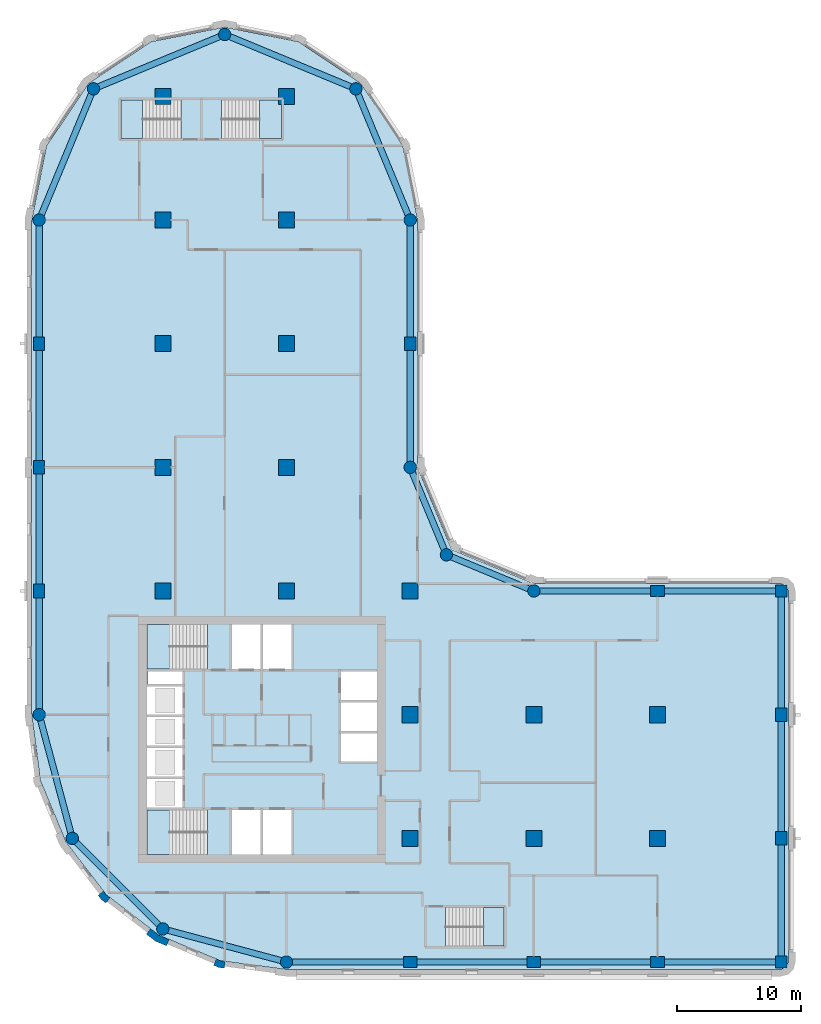
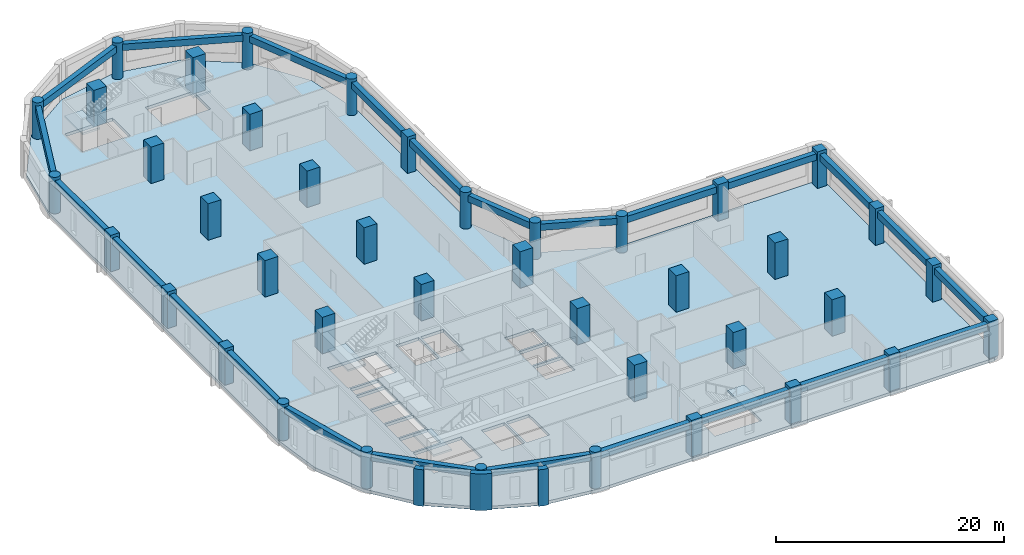
# One storey, part 1 of 9: 41 columns, 24 beams, 6 slabs, 3 walls, 5 elements without a shape of their own.
"""IFC4 building model written with IfcOpenShell, lengths in metres."""

from ifc_helpers import new_model, si_unit, direction, frame, origin, origin_2d, place, context, subcontext, project, spatial, polyline, rectangle, circle, outline, extrude, material, layer, layer_set, material_profile, profile_set, type_object, element, aggregate, save


model = new_model("IFC4")

# Units and contexts
model_context = context("Model", 3, precision=1e-05, world=origin(), true_north=direction((0.0, 1.0)))
body_context = subcontext(model_context, "Body", "Model", "MODEL_VIEW")
ifc_project = project(units=[si_unit("LENGTHUNIT", "METRE"), si_unit("AREAUNIT", "SQUARE_METRE"), si_unit("VOLUMEUNIT", "CUBIC_METRE"), si_unit("PLANEANGLEUNIT", "RADIAN"), si_unit("MASSUNIT", "GRAM", prefix="KILO")], contexts=[model_context])

# Site, building, storey
site_placement = place(None, origin())
site = spatial("IfcSite", under=ifc_project, at=site_placement, CompositionType="ELEMENT")
building_placement = place(site_placement, origin())
building = spatial("IfcBuilding", under=site, at=building_placement, Name="Qaws Garden Tower", CompositionType="ELEMENT")
storey_placement = place(building_placement, frame((0.0, 0.0, 131.699951171875)))
storey = spatial("IfcBuildingStorey", under=building, at=storey_placement, Name="L31", CompositionType="ELEMENT", Elevation=131.699951171875)

# Columns
ifc_material_1 = material(Name="Concrete C70", Category="concrete")
ifc_material_profile_1 = material_profile(ifc_material_1, rectangle(XDim=1.10009765625, YDim=0.89990234375, at=origin_2d()), Name="RC 1100x900")
ifc_profile_set_1 = profile_set([ifc_material_profile_1], Name="Concrete C70")
column_type_1 = type_object("IfcColumnType", Name="Column RC 1100x900 C70", PredefinedType="COLUMN", material=ifc_profile_set_1)
for number, where, z_axis, x_axis, name in (
    (1, (30.0, 0.0, 0.0), (0.0, 0.0, 1.0), (1.0, 0.0, 0.0), "Column L31-002"),
    (2, (40.0, 0.0, 0.0), (0.0, 0.0, 1.0), (1.0, 0.0, 0.0), "Column L31-003"),
    (3, (50.0, 0.0, 0.0), (0.0, 0.0, 1.0), (1.0, 0.0, 0.0), "Column L31-004"),
    (4, (60.0, 10.0, 0.0), (0.0, 0.0, 1.0), (0.0, 1.0, 0.0), "Column L31-006"),
    (5, (60.0, 20.0, 0.0), (0.0, 0.0, 1.0), (0.0, 1.0, 0.0), "Column L31-007"),
    (6, (50.0, 30.0, 0.0), (0.0, 0.0, 1.0), (1.0, 0.0, 0.0), "Column L31-009"),
    (7, (30.0, 50.0, 0.0), (0.0, 0.0, 1.0), (0.0, 1.0, 0.0), "Column L31-013"),
    (8, (0.0, 50.0, 0.0), (0.0, 0.0, 1.0), (0.0, 1.0, 0.0), "Column L31-019"),
    (9, (0.0, 40.0, 0.0), (0.0, 0.0, 1.0), (0.0, 1.0, 0.0), "Column L31-020"),
    (10, (0.0, 30.0, 0.0), (0.0, 0.0, 1.0), (0.0, 1.0, 0.0), "Column L31-021"),
):
    element("IfcColumn", number, at=place(storey_placement, frame(where, z_axis=z_axis, x_axis=x_axis)), inside=storey, type_object=column_type_1, Name=name, PredefinedType="COLUMN", context=body_context, shape_type="SweptSolid", body=[
        extrude(rectangle(XDim=1.10009765625, YDim=0.89990234375, at=origin_2d()), origin(), (0.0, 0.0, 1.0), 3.900146484375),
    ])
ifc_material_2 = material(Name="Concrete C70", Category="concrete")
ifc_material_profile_2 = material_profile(ifc_material_2, rectangle(XDim=1.300048828125, YDim=1.300048828125, at=origin_2d()), Name="RC 1300x1300")
ifc_profile_set_2 = profile_set([ifc_material_profile_2], Name="Concrete C70")
column_type_2 = type_object("IfcColumnType", Name="Column RC 1300x1300 C70", PredefinedType="COLUMN", material=ifc_profile_set_2)
for number, where, z_axis, x_axis, name in (
    (11, (10.0, 30.0, 0.0), (0.0, 0.0, 1.0), (1.0, 0.0, 0.0), "Column L31-025"),
    (12, (10.0, 40.0, 0.0), (0.0, 0.0, 1.0), (1.0, 0.0, 0.0), "Column L31-026"),
    (13, (10.0, 50.0, 0.0), (0.0, 0.0, 1.0), (1.0, 0.0, 0.0), "Column L31-027"),
    (14, (10.0, 60.0, 0.0), (0.0, 0.0, 1.0), (1.0, 0.0, 0.0), "Column L31-028"),
    (15, (10.0, 70.0, 0.0), (0.0, 0.0, 1.0), (1.0, 0.0, 0.0), "Column L31-029"),
    (16, (20.0, 30.0, 0.0), (0.0, 0.0, 1.0), (1.0, 0.0, 0.0), "Column L31-030"),
    (17, (20.0, 40.0, 0.0), (0.0, 0.0, 1.0), (1.0, 0.0, 0.0), "Column L31-031"),
    (18, (20.0, 50.0, 0.0), (0.0, 0.0, 1.0), (1.0, 0.0, 0.0), "Column L31-032"),
    (19, (20.0, 60.0, 0.0), (0.0, 0.0, 1.0), (1.0, 0.0, 0.0), "Column L31-033"),
    (20, (20.0, 70.0, 0.0), (0.0, 0.0, 1.0), (1.0, 0.0, 0.0), "Column L31-034"),
    (21, (30.0, 10.0, 0.0), (0.0, 0.0, 1.0), (1.0, 0.0, 0.0), "Column L31-035"),
    (22, (30.0, 20.0, 0.0), (0.0, 0.0, 1.0), (1.0, 0.0, 0.0), "Column L31-036"),
    (23, (30.0, 30.0, 0.0), (0.0, 0.0, 1.0), (1.0, 0.0, 0.0), "Column L31-037"),
    (24, (40.0, 10.0, 0.0), (0.0, 0.0, 1.0), (1.0, 0.0, 0.0), "Column L31-038"),
    (25, (40.0, 20.0, 0.0), (0.0, 0.0, 1.0), (1.0, 0.0, 0.0), "Column L31-039"),
    (26, (50.0, 10.0, 0.0), (0.0, 0.0, 1.0), (1.0, 0.0, 0.0), "Column L31-040"),
    (27, (50.0, 20.0, 0.0), (0.0, 0.0, 1.0), (1.0, 0.0, 0.0), "Column L31-041"),
):
    element("IfcColumn", number, at=place(storey_placement, frame(where, z_axis=z_axis, x_axis=x_axis)), inside=storey, type_object=column_type_2, Name=name, PredefinedType="COLUMN", context=body_context, shape_type="SweptSolid", body=[
        extrude(rectangle(XDim=1.300048828125, YDim=1.300048828125, at=origin_2d()), origin(), (0.0, 0.0, 1.0), 3.900146484375),
    ])
ifc_material_3 = material(Name="Concrete C70", Category="concrete")
ifc_material_profile_3 = material_profile(ifc_material_3, rectangle(XDim=0.949951171875, YDim=0.949951171875, at=origin_2d()), Name="RC 950x950")
ifc_profile_set_3 = profile_set([ifc_material_profile_3], Name="Concrete C70")
column_type_3 = type_object("IfcColumnType", Name="Column RC 950x950 C70", PredefinedType="COLUMN", material=ifc_profile_set_3)
for number, where, z_axis, x_axis, name in (
    (28, (60.0, 0.0, 0.0), (0.0, 0.0, 1.0), (1.0, 0.0, 0.0), "Column L31-005"),
    (29, (60.0, 30.0, 0.0), (0.0, 0.0, 1.0), (1.0, 0.0, 0.0), "Column L31-008"),
):
    element("IfcColumn", number, at=place(storey_placement, frame(where, z_axis=z_axis, x_axis=x_axis)), inside=storey, type_object=column_type_3, Name=name, PredefinedType="COLUMN", context=body_context, shape_type="SweptSolid", body=[
        extrude(rectangle(XDim=0.949951171875, YDim=0.949951171875, at=origin_2d()), origin(), (0.0, 0.0, 1.0), 3.900146484375),
    ])
ifc_material_4 = material(Name="Concrete C70", Category="concrete")
ifc_material_profile_4 = material_profile(ifc_material_4, circle(Radius=0.5, at=origin_2d()), Name="RC D1000")
ifc_profile_set_4 = profile_set([ifc_material_profile_4], Name="Concrete C70")
column_type_4 = type_object("IfcColumnType", Name="Column RC D1000 C70", PredefinedType="COLUMN", material=ifc_profile_set_4)
for number, where, z_axis, x_axis, name in (
    (30, (20.0, 0.0, 0.0), (0.0, 0.0, 1.0), (1.0, 0.0, 0.0), "Column L31-001"),
    (31, (40.0, 30.0, 0.0), (0.0, 0.0, 1.0), (1.0, 0.0, 0.0), "Column L31-010"),
    (32, (32.928955078125, 32.928955078125, 0.0), (0.0, 0.0, 1.0), (1.0, 0.0, 0.0), "Column L31-011"),
    (33, (30.0, 40.0, 0.0), (0.0, 0.0, 1.0), (1.0, 0.0, 0.0), "Column L31-012"),
    (34, (30.0, 60.0, 0.0), (0.0, 0.0, 1.0), (1.0, 0.0, 0.0), "Column L31-014"),
    (35, (25.606689453125, 70.606689453125, 0.0), (0.0, 0.0, 1.0), (1.0, 0.0, 0.0), "Column L31-015"),
    (36, (15.0, 75.0, 0.0), (0.0, 0.0, 1.0), (1.0, 0.0, 0.0), "Column L31-016"),
    (37, (4.393310546875, 70.606689453125, 0.0), (0.0, 0.0, 1.0), (1.0, 0.0, 0.0), "Column L31-017"),
    (38, (0.0, 60.0, 0.0), (0.0, 0.0, 1.0), (1.0, 0.0, 0.0), "Column L31-018"),
    (39, (0.0, 20.0, 0.0), (0.0, 0.0, 1.0), (1.0, 0.0, 0.0), "Column L31-022"),
    (40, (2.679443359375, 10.0, 0.0), (0.0, 0.0, 1.0), (1.0, 0.0, 0.0), "Column L31-023"),
    (41, (10.0, 2.679443359375, 0.0), (0.0, 0.0, 1.0), (1.0, 0.0, 0.0), "Column L31-024"),
):
    element("IfcColumn", number, at=place(storey_placement, frame(where, z_axis=z_axis, x_axis=x_axis)), inside=storey, type_object=column_type_4, Name=name, PredefinedType="COLUMN", context=body_context, shape_type="SweptSolid", body=[
        extrude(circle(Radius=0.5, at=origin_2d()), origin(), (0.0, 0.0, 1.0), 3.900146484375),
    ])

# Beams
ifc_material_5 = material(Name="Concrete C45", Category="concrete")
ifc_material_profile_5 = material_profile(ifc_material_5, rectangle(XDim=0.5, YDim=0.699951171875, at=origin_2d()), Name="RC 500x700")
ifc_profile_set_5 = profile_set([ifc_material_profile_5], Name="Concrete C45")
beam_type = type_object("IfcBeamType", Name="Spandrel beam RC 500x700 C45", PredefinedType="SPANDREL", material=ifc_profile_set_5)
for number, where, z_axis, x_axis, name in (
    (42, (20.0, 0.0, 3.22998046875), (1.0, 0.0, 0.0), (0.0, 1.0, 0.0), "Spandrel beam L31-001"),
    (43, (30.0, 0.0, 3.22998046875), (1.0, 0.0, 0.0), (0.0, 1.0, 0.0), "Spandrel beam L31-002"),
    (44, (40.0, 0.0, 3.22998046875), (1.0, 0.0, 0.0), (0.0, 1.0, 0.0), "Spandrel beam L31-003"),
    (45, (50.0, 0.0, 3.22998046875), (1.0, 0.0, 0.0), (0.0, 1.0, 0.0), "Spandrel beam L31-004"),
    (46, (60.0, 0.0, 3.22998046875), (0.0, 1.0, 0.0), (-1.0, 0.0, 0.0), "Spandrel beam L31-005"),
    (47, (60.0, 10.0, 3.22998046875), (0.0, 1.0, 0.0), (-1.0, 0.0, 0.0), "Spandrel beam L31-006"),
    (48, (60.0, 20.0, 3.22998046875), (0.0, 1.0, 0.0), (-1.0, 0.0, 0.0), "Spandrel beam L31-007"),
    (49, (60.0, 30.0, 3.22998046875), (-1.0, 0.0, 0.0), (0.0, -1.0, 0.0), "Spandrel beam L31-008"),
    (50, (50.0, 30.0, 3.22998046875), (-1.0, 0.0, 0.0), (0.0, -1.0, 0.0), "Spandrel beam L31-009"),
):
    element("IfcBeam", number, at=place(storey_placement, frame(where, z_axis=z_axis, x_axis=x_axis)), inside=storey, type_object=beam_type, Name=name, PredefinedType="SPANDREL", context=body_context, shape_type="SweptSolid", body=[
        extrude(rectangle(XDim=0.5, YDim=0.699951171875, at=origin_2d()), origin(), (0.0, 0.0, 1.0), 10.0),
    ])
for number, where, z_axis, x_axis, name in (
    (51, (40.0, 30.0, 3.22998046875), (-0.923878037141, 0.382687042488, 0.0), (-0.382687042488, -0.923878037141, 0.0), "Spandrel beam L31-010"),
    (52, (32.928955078125, 32.928955078125, 3.22998046875), (-0.382687042488, 0.923878037141, 0.0), (-0.923878037141, -0.382687042488, 0.0), "Spandrel beam L31-011"),
):
    element("IfcBeam", number, at=place(storey_placement, frame(where, z_axis=z_axis, x_axis=x_axis)), inside=storey, type_object=beam_type, Name=name, PredefinedType="SPANDREL", context=body_context, shape_type="SweptSolid", body=[
        extrude(rectangle(XDim=0.5, YDim=0.699951171875, at=origin_2d()), origin(), (0.0, 0.0, 1.0), 7.653564453125),
    ])
for number, where, z_axis, x_axis, name in (
    (53, (30.0, 40.0, 3.22998046875), (0.0, 1.0, 0.0), (-1.0, 0.0, 0.0), "Spandrel beam L31-012"),
    (54, (30.0, 50.0, 3.22998046875), (0.0, 1.0, 0.0), (-1.0, 0.0, 0.0), "Spandrel beam L31-013"),
):
    element("IfcBeam", number, at=place(storey_placement, frame(where, z_axis=z_axis, x_axis=x_axis)), inside=storey, type_object=beam_type, Name=name, PredefinedType="SPANDREL", context=body_context, shape_type="SweptSolid", body=[
        extrude(rectangle(XDim=0.5, YDim=0.699951171875, at=origin_2d()), origin(), (0.0, 0.0, 1.0), 10.0),
    ])
for number, where, z_axis, x_axis, name in (
    (55, (30.0, 60.0, 3.22998046875), (-0.382674207535, 0.923883353507, 0.0), (-0.923883353507, -0.382674207535, 0.0), "Spandrel beam L31-014"),
    (56, (25.606689453125, 70.606689453125, 3.22998046875), (-0.923883353507, 0.382674207535, 0.0), (-0.382674207535, -0.923883353507, 0.0), "Spandrel beam L31-015"),
    (57, (15.0, 75.0, 3.22998046875), (-0.923883353507, -0.382674207535, 0.0), (0.382674207535, -0.923883353507, 0.0), "Spandrel beam L31-016"),
    (58, (4.393310546875, 70.606689453125, 3.22998046875), (-0.382674207535, -0.923883353507, 0.0), (0.923883353507, -0.382674207535, 0.0), "Spandrel beam L31-017"),
):
    element("IfcBeam", number, at=place(storey_placement, frame(where, z_axis=z_axis, x_axis=x_axis)), inside=storey, type_object=beam_type, Name=name, PredefinedType="SPANDREL", context=body_context, shape_type="SweptSolid", body=[
        extrude(rectangle(XDim=0.5, YDim=0.699951171875, at=origin_2d()), origin(), (0.0, 0.0, 1.0), 11.48046875),
    ])
for number, where, z_axis, x_axis, name in (
    (59, (0.0, 60.0, 3.22998046875), (0.0, -1.0, 0.0), (1.0, 0.0, 0.0), "Spandrel beam L31-018"),
    (60, (0.0, 50.0, 3.22998046875), (0.0, -1.0, 0.0), (1.0, 0.0, 0.0), "Spandrel beam L31-019"),
    (61, (0.0, 40.0, 3.22998046875), (0.0, -1.0, 0.0), (1.0, 0.0, 0.0), "Spandrel beam L31-020"),
    (62, (0.0, 30.0, 3.22998046875), (0.0, -1.0, 0.0), (1.0, 0.0, 0.0), "Spandrel beam L31-021"),
):
    element("IfcBeam", number, at=place(storey_placement, frame(where, z_axis=z_axis, x_axis=x_axis)), inside=storey, type_object=beam_type, Name=name, PredefinedType="SPANDREL", context=body_context, shape_type="SweptSolid", body=[
        extrude(rectangle(XDim=0.5, YDim=0.699951171875, at=origin_2d()), origin(), (0.0, 0.0, 1.0), 10.0),
    ])
for number, where, z_axis, x_axis, name in (
    (63, (0.0, 20.0, 3.22998046875), (0.25881466832, -0.965926999034, 0.0), (0.965926999034, 0.25881466832, 0.0), "Spandrel beam L31-022"),
    (64, (2.679443359375, 10.0, 3.22998046875), (0.707106781187, -0.707106781187, 0.0), (0.707106781187, 0.707106781187, 0.0), "Spandrel beam L31-023"),
    (65, (10.0, 2.679443359375, 3.22998046875), (0.965926999034, -0.25881466832, 0.0), (0.25881466832, 0.965926999034, 0.0), "Spandrel beam L31-024"),
):
    element("IfcBeam", number, at=place(storey_placement, frame(where, z_axis=z_axis, x_axis=x_axis)), inside=storey, type_object=beam_type, Name=name, PredefinedType="SPANDREL", context=body_context, shape_type="SweptSolid", body=[
        extrude(rectangle(XDim=0.5, YDim=0.699951171875, at=origin_2d()), origin(), (0.0, 0.0, 1.0), 10.352783203125),
    ])

# Slab
ifc_material_6 = material(Name="Concrete C40", Category="concrete")
ifc_layer_1 = layer(ifc_material_6, 0.320068359375)
ifc_layer_set_1 = layer_set([ifc_layer_1], Name="Concrete C40")
slab_type_1 = type_object("IfcSlabType", Name="Floor slab 320 C40", PredefinedType="FLOOR", material=ifc_layer_set_1)
slab_1_placement = place(storey_placement, frame((0.0, 0.0, -0.320068359375)))
element("IfcSlab", 66, at=slab_1_placement, inside=storey, type_object=slab_type_1, Name="Floor slab L31", PredefinedType="FLOOR", context=body_context, shape_type="SweptSolid", body=[
    extrude(outline(polyline([(0.101806640625, 14.668212890625), (-0.60009765625, 20.0), (-0.60009765625, 30.60009765625), (-0.60009765625, 60.0), (-0.60009765625, 60.0), (0.58740234375, 65.969970703125), (3.968994140625, 71.031005859375), (9.030029296875, 74.41259765625), (15.0, 75.60009765625), (20.969970703125, 74.41259765625), (26.031005859375, 71.031005859375), (29.41259765625, 65.969970703125), (30.60009765625, 60.0), (30.60009765625, 40.0), (33.353271484375, 33.353271484375), (40.0, 30.60009765625), (60.0, 30.60009765625), (60.42431640625, 30.42431640625), (60.60009765625, 30.0), (60.60009765625, 0.0), (60.42431640625, -0.42431640625), (60.0, -0.60009765625), (30.60009765625, -0.60009765625), (20.0, -0.60009765625), (14.668212890625, 0.101806640625), (9.699951171875, 2.159912109375), (5.43359375, 5.43359375), (2.159912109375, 9.699951171875), (0.101806640625, 14.668212890625)]), holes=[polyline([(13.599609375, 12.300048828125), (8.699951171875, 12.300048828125), (8.699951171875, 8.699951171875), (13.599609375, 8.699951171875), (13.599609375, 12.300048828125)]), polyline([(17.89990234375, 12.300048828125), (15.60009765625, 12.300048828125), (15.60009765625, 8.699951171875), (17.89990234375, 8.699951171875), (17.89990234375, 12.300048828125)]), polyline([(11.60009765625, 14.800048828125), (8.699951171875, 14.800048828125), (8.699951171875, 12.5), (11.60009765625, 12.5), (11.60009765625, 14.800048828125)]), polyline([(11.60009765625, 17.300048828125), (8.699951171875, 17.300048828125), (8.699951171875, 15.0), (11.60009765625, 15.0), (11.60009765625, 17.300048828125)]), polyline([(11.60009765625, 19.800048828125), (8.699951171875, 19.800048828125), (8.699951171875, 17.5), (11.60009765625, 17.5), (11.60009765625, 19.800048828125)]), polyline([(11.60009765625, 22.300048828125), (8.699951171875, 22.300048828125), (8.699951171875, 20.0), (11.60009765625, 20.0), (11.60009765625, 22.300048828125)]), polyline([(11.60009765625, 23.5), (8.800048828125, 23.5), (8.800048828125, 22.5), (11.60009765625, 22.5), (11.60009765625, 23.5)]), polyline([(13.599609375, 27.300048828125), (8.699951171875, 27.300048828125), (8.699951171875, 23.699951171875), (13.599609375, 23.699951171875), (13.599609375, 27.300048828125)]), polyline([(11.449462890625, 69.699951171875), (6.60009765625, 69.699951171875), (6.60009765625, 66.60009765625), (11.449462890625, 66.60009765625), (11.449462890625, 69.699951171875)]), polyline([(37.60009765625, 4.39990234375), (32.8505859375, 4.39990234375), (32.8505859375, 1.300048828125), (37.60009765625, 1.300048828125), (37.60009765625, 4.39990234375)]), polyline([(20.39990234375, 12.300048828125), (18.10009765625, 12.300048828125), (18.10009765625, 8.699951171875), (20.39990234375, 8.699951171875), (20.39990234375, 12.300048828125)]), polyline([(27.300048828125, 18.5), (24.39990234375, 18.5), (24.39990234375, 16.199951171875), (27.300048828125, 16.199951171875), (27.300048828125, 18.5)]), polyline([(27.300048828125, 21.0), (24.39990234375, 21.0), (24.39990234375, 18.699951171875), (27.300048828125, 18.699951171875), (27.300048828125, 21.0)]), polyline([(27.300048828125, 23.5), (24.39990234375, 23.5), (24.39990234375, 21.199951171875), (27.300048828125, 21.199951171875), (27.300048828125, 23.5)]), polyline([(17.89990234375, 27.300048828125), (15.60009765625, 27.300048828125), (15.60009765625, 23.699951171875), (17.89990234375, 23.699951171875), (17.89990234375, 27.300048828125)]), polyline([(20.39990234375, 23.699951171875), (20.39990234375, 27.300048828125), (18.10009765625, 27.300048828125), (18.10009765625, 23.699951171875), (20.39990234375, 23.699951171875)]), polyline([(19.60009765625, 66.60009765625), (19.60009765625, 69.699951171875), (14.75048828125, 69.699951171875), (14.75048828125, 66.60009765625), (19.60009765625, 66.60009765625)])]), origin(), (0.0, 0.0, 1.0), 0.320068359375),
])

# Stair, slab
ifc_material_7 = material(Name="Concrete C40", Category="concrete")
stair_type_1 = type_object("IfcStairType", Name="Exit stair 1500", PredefinedType="HALF_TURN_STAIR", material=ifc_material_7)
placement_1 = place(storey_placement, origin())
stair_1 = element("IfcStair", 67, at=placement_1, inside=storey, type_object=stair_type_1, Name="Stair 1", PredefinedType="HALF_TURN_STAIR")
ifc_material_8 = material(Name="Concrete C40", Category="concrete")
ifc_layer_2 = layer(ifc_material_8, 0.199951171875)
ifc_layer_set_2 = layer_set([ifc_layer_2], Name="Concrete C40")
slab_type_2 = type_object("IfcSlabType", Name="Stair landing 200", PredefinedType="LANDING", material=ifc_layer_set_2)
placement_2 = place(storey_placement, frame((0.0, 0.0, 1.75)))
slab_2 = element("IfcSlab", 68, at=placement_2, type_object=slab_type_2, Name="ST1 landing 1", PredefinedType="LANDING", context=body_context, shape_type="SweptSolid", body=[
    extrude(outline(polyline([(8.699951171875, 8.699951171875), (10.52001953125, 8.699951171875), (10.52001953125, 12.300048828125), (8.699951171875, 12.300048828125), (8.699951171875, 8.699951171875)])), origin(), (0.0, 0.0, 1.0), 0.199951171875),
])
aggregate(stair_1, [slab_2])

stair_2 = element("IfcStair", 69, at=placement_1, inside=storey, type_object=stair_type_1, Name="Stair 4", PredefinedType="HALF_TURN_STAIR")
slab_3 = element("IfcSlab", 70, at=placement_2, type_object=slab_type_2, Name="ST4 landing 1", PredefinedType="LANDING", context=body_context, shape_type="SweptSolid", body=[
    extrude(outline(polyline([(8.699951171875, 23.699951171875), (10.52001953125, 23.699951171875), (10.52001953125, 27.300048828125), (8.699951171875, 27.300048828125), (8.699951171875, 23.699951171875)])), origin(), (0.0, 0.0, 1.0), 0.199951171875),
])
aggregate(stair_2, [slab_3])

ifc_material_9 = material(Name="Concrete C40", Category="concrete")
stair_type_2 = type_object("IfcStairType", Name="Exit stair 1350", PredefinedType="HALF_TURN_STAIR", material=ifc_material_9)
stair_3 = element("IfcStair", 71, at=placement_1, inside=storey, type_object=stair_type_2, Name="Stair 5", PredefinedType="HALF_TURN_STAIR")
slab_4 = element("IfcSlab", 72, at=placement_2, type_object=slab_type_2, Name="ST5 landing 1", PredefinedType="LANDING", context=body_context, shape_type="SweptSolid", body=[
    extrude(outline(polyline([(35.929931640625, 1.300048828125), (37.60009765625, 1.300048828125), (37.60009765625, 4.39990234375), (35.929931640625, 4.39990234375), (35.929931640625, 1.300048828125)])), origin(), (0.0, 0.0, 1.0), 0.199951171875),
])
aggregate(stair_3, [slab_4])

stair_4 = element("IfcStair", 73, at=placement_1, inside=storey, type_object=stair_type_2, Name="Stair 6", PredefinedType="HALF_TURN_STAIR")
slab_5 = element("IfcSlab", 74, at=placement_2, type_object=slab_type_2, Name="ST6 landing 1", PredefinedType="LANDING", context=body_context, shape_type="SweptSolid", body=[
    extrude(outline(polyline([(6.60009765625, 66.60009765625), (8.3701171875, 66.60009765625), (8.3701171875, 69.699951171875), (6.60009765625, 69.699951171875), (6.60009765625, 66.60009765625)])), origin(), (0.0, 0.0, 1.0), 0.199951171875),
])
aggregate(stair_4, [slab_5])

stair_5 = element("IfcStair", 75, at=placement_1, inside=storey, type_object=stair_type_2, Name="Stair 7", PredefinedType="HALF_TURN_STAIR")
slab_6 = element("IfcSlab", 76, at=placement_2, type_object=slab_type_2, Name="ST7 landing 1", PredefinedType="LANDING", context=body_context, shape_type="SweptSolid", body=[
    extrude(outline(polyline([(17.830078125, 66.60009765625), (19.60009765625, 66.60009765625), (19.60009765625, 69.699951171875), (17.830078125, 69.699951171875), (17.830078125, 66.60009765625)])), origin(), (0.0, 0.0, 1.0), 0.199951171875),
])
aggregate(stair_5, [slab_6])

# Walls
ifc_material_10 = material(Name="Clay facing brick masonry", Category="masonry")
ifc_layer_3 = layer(ifc_material_10, 0.550048828125)
ifc_layer_set_3 = layer_set([ifc_layer_3], Name="Clay facing brick masonry")
wall_type_1 = type_object("IfcWallType", Name="Brick kink pier 550 x 600", PredefinedType="SOLIDWALL", material=ifc_layer_set_3)
element("IfcWall", 77, at=placement_1, inside=storey, type_object=wall_type_1, Name="E-L31-pier-28", PredefinedType="SOLIDWALL", context=body_context, shape_type="SweptSolid", body=[
    extrude(outline(polyline([(4.8818359375, 5.487060546875), (4.762939453125, 5.395751953125), (5.03759765625, 5.03759765625), (5.395751953125, 4.762939453125), (5.487060546875, 4.8818359375), (5.730712890625, 5.19921875), (5.429931640625, 5.429931640625), (5.19921875, 5.730712890625), (4.8818359375, 5.487060546875)])), origin(), (0.0, 0.0, 1.0), 3.900146484375),
])
element("IfcWall", 78, at=placement_1, inside=storey, type_object=wall_type_1, Name="E-L31-pier-30", PredefinedType="SOLIDWALL", context=body_context, shape_type="SweptSolid", body=[
    extrude(outline(polyline([(14.163818359375, -0.127685546875), (14.1064453125, -0.26611328125), (14.5234375, -0.43896484375), (14.970947265625, -0.497802734375), (14.990478515625, -0.34912109375), (15.042724609375, 0.04736328125), (14.6669921875, 0.096923828125), (14.31689453125, 0.241943359375), (14.163818359375, -0.127685546875)])), origin(), (0.0, 0.0, 1.0), 3.900146484375),
])
ifc_material_11 = material(Name="Clay facing brick masonry", Category="masonry")
ifc_layer_4 = layer(ifc_material_11, 0.550048828125)
ifc_layer_set_4 = layer_set([ifc_layer_4], Name="Clay facing brick masonry")
wall_type_2 = type_object("IfcWallType", Name="Brick pier 550 x 1600", PredefinedType="SOLIDWALL", material=ifc_layer_set_4)
element("IfcWall", 79, at=placement_1, inside=storey, type_object=wall_type_2, Name="E-L31-pier-29", PredefinedType="SOLIDWALL", context=body_context, shape_type="SweptSolid", body=[
    extrude(outline(polyline([(8.756591796875, 2.373046875), (8.665283203125, 2.254150390625), (9.419921875, 1.675048828125), (10.299072265625, 1.310791015625), (10.3564453125, 1.449462890625), (10.509521484375, 1.819091796875), (9.697509765625, 2.1552734375), (9.0, 2.6904296875), (8.756591796875, 2.373046875)])), origin(), (0.0, 0.0, 1.0), 3.900146484375),
])

save(model, "model.ifc")
